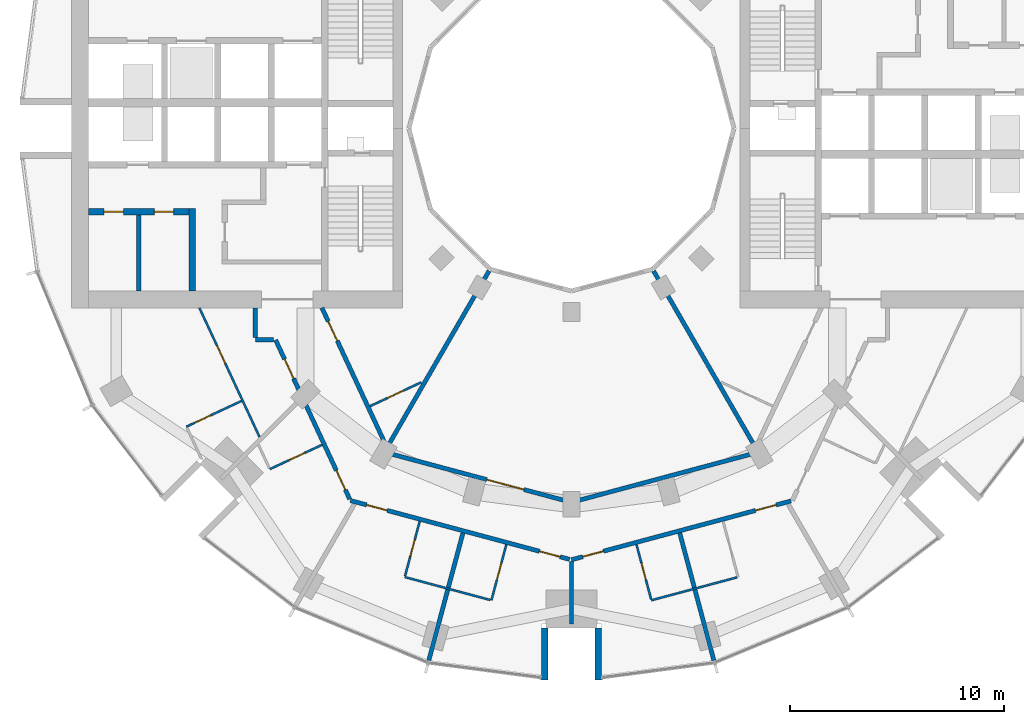
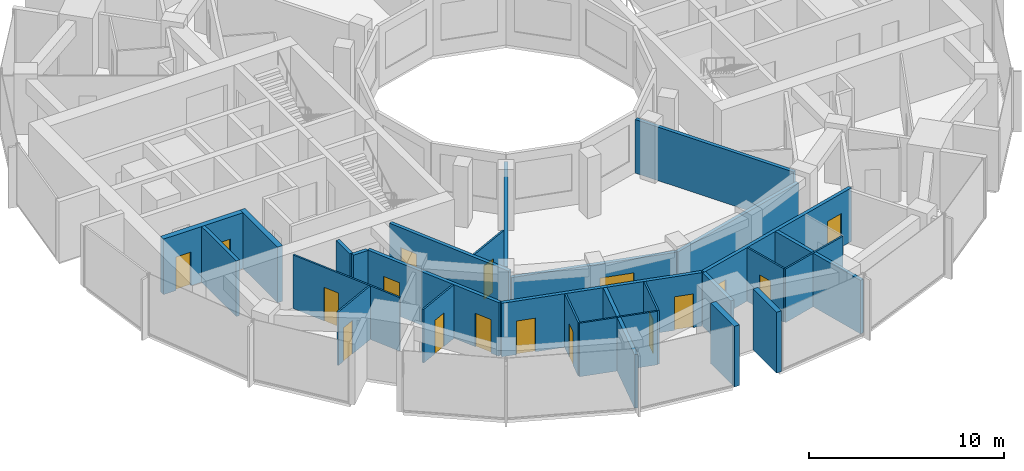
# One storey, part 8 of 15: 27 walls, 17 doors, 17 openings.
"""IFC4 building model written with IfcOpenShell, lengths in metres."""

import ifcopenshell
import ifcopenshell.guid

model = None  # the IFC model being written
_history = None  # IfcOwnerHistory: only IFC2X3 demands one
_inside = {}  # id of a spatial element -> (the spatial element, [elements in it])
_under = {}  # id of a project, library or spatial element -> (it, [spatial elements below it])
_declared = {}  # id of a project -> (the project, [libraries it declares])
_typed = {}  # id of a type object -> (the type object, [elements of that type])
_made_of = {}  # id of a material, layer set ... -> (it, [elements and type objects made of it])


def new_model(schema):
    """Start an empty IFC model of exactly this schema.

    Asked for "IFC4X3", IfcOpenShell would pick the latest addendum, in which some entities
    have other attributes; the version numbers below select the first issue.
    IFC2X3 requires an IfcOwnerHistory on every rooted entity: one is made here for all.
    """
    global model, _history
    if schema == "IFC4X3":
        model = ifcopenshell.file(schema_version=(4, 3, 0, 0))
    else:
        model = ifcopenshell.file(schema=schema)
    _inside.clear()
    _under.clear()
    _declared.clear()
    _typed.clear()
    _made_of.clear()
    _history = None
    if model.schema == "IFC2X3":
        org = make("IfcOrganization", Name="unknown")
        user = make(
            "IfcPersonAndOrganization",
            ThePerson=make("IfcPerson", FamilyName="unknown"),
            TheOrganization=org,
        )
        app = make(
            "IfcApplication",
            ApplicationDeveloper=org,
            Version="unknown",
            ApplicationFullName="unknown",
            ApplicationIdentifier="unknown",
        )
        _history = make(
            "IfcOwnerHistory",
            OwningUser=user,
            OwningApplication=app,
            ChangeAction="ADDED",
            CreationDate=0,
        )
    return model


def make(cls, **values):
    """One entity of the class cls with the attributes given. An attribute that is None is left unset."""
    return model.create_entity(
        cls, **{name: value for name, value in values.items() if value is not None}
    )


def rooted(cls, **values):
    """An entity with a GlobalId (a new one), such as an element, a storey or a relation."""
    return make(cls, GlobalId=ifcopenshell.guid.new(), OwnerHistory=_history, **values)


def si_unit(unit_type, name, prefix=None):
    """IfcSIUnit, for example si_unit("LENGTHUNIT", "METRE", prefix="MILLI")."""
    return make("IfcSIUnit", UnitType=unit_type, Prefix=prefix, Name=name)


def assignment(units):
    """IfcUnitAssignment: the units of a project."""
    return None if units is None else make("IfcUnitAssignment", Units=units)


def point(xyz):
    """IfcCartesianPoint."""
    return None if xyz is None else make("IfcCartesianPoint", Coordinates=xyz)


def direction(xyz):
    """IfcDirection."""
    return None if xyz is None else make("IfcDirection", DirectionRatios=xyz)


def frame(location, z_axis=None, x_axis=None):
    """IfcAxis2Placement3D, a coordinate frame: its origin and axes. An axis left out is left unset."""
    return make(
        "IfcAxis2Placement3D",
        Location=point(location),
        Axis=direction(z_axis),
        RefDirection=direction(x_axis),
    )


def frame_2d(location, x_axis=None):
    """IfcAxis2Placement2D, a coordinate frame in the plane: its origin and x axis."""
    return make(
        "IfcAxis2Placement2D", Location=point(location), RefDirection=direction(x_axis)
    )


def origin():
    """The frame at (0, 0, 0) with its axes left unset."""
    return frame((0.0, 0.0, 0.0))


def place(relative_to, where):
    """IfcLocalPlacement: puts the frame where relative to a parent placement (None: the world)."""
    return make(
        "IfcLocalPlacement", PlacementRelTo=relative_to, RelativePlacement=where
    )


def context(
    kind, dimensions, precision=None, world=None, true_north=None, identifier=None
):
    """IfcGeometricRepresentationContext, for example the 3D "Model" context."""
    return make(
        "IfcGeometricRepresentationContext",
        ContextIdentifier=identifier,
        ContextType=kind,
        CoordinateSpaceDimension=dimensions,
        Precision=precision,
        WorldCoordinateSystem=world,
        TrueNorth=true_north,
    )


def subcontext(parent, identifier, kind, view, scale=None):
    """IfcGeometricRepresentationSubContext, for example "Body" below "Model"."""
    return make(
        "IfcGeometricRepresentationSubContext",
        ContextIdentifier=identifier,
        ContextType=kind,
        ParentContext=parent,
        TargetScale=scale,
        TargetView=view,
    )


def project(units=None, contexts=None):
    """IfcProject with its units and contexts."""
    return rooted(
        "IfcProject",
        Name="project",
        RepresentationContexts=contexts,
        UnitsInContext=assignment(units),
    )


def spatial(cls, under=None, at=None, **own):
    """A site, building, storey or space (cls), placed at a placement, below another one or the project."""
    s = rooted(cls, ObjectPlacement=at, **own)
    if under is not None:
        _under.setdefault(under.id(), (under, []))[1].append(s)
    return s


def profile(cls, at=None, kind="AREA", **sizes):
    """A parametric profile (cls). Its sizes go by their IFC names, for example OverallWidth=200.0."""
    return make(cls, ProfileType=kind, Position=at, **sizes)


def rectangle(**sizes):
    """IfcRectangleProfileDef."""
    return profile("IfcRectangleProfileDef", **sizes)


def extrude(swept, where, along, depth):
    """IfcExtrudedAreaSolid: the profile swept, set in the frame where, extruded along a direction by depth."""
    return make(
        "IfcExtrudedAreaSolid",
        SweptArea=swept,
        Position=where,
        ExtrudedDirection=direction(along),
        Depth=depth,
    )


def shape(context_of_items, identifier, shape_type, items):
    """IfcShapeRepresentation: the items that make up one representation, for example the "Body"."""
    return make(
        "IfcShapeRepresentation",
        ContextOfItems=context_of_items,
        RepresentationIdentifier=identifier,
        RepresentationType=shape_type,
        Items=items,
    )


def material(Name=None, Category=None):
    """IfcMaterial."""
    return make("IfcMaterial", Name=Name, Category=Category)


def layer(
    of_material, thickness, ventilated=None, Name=None, Category=None, Priority=None
):
    """IfcMaterialLayer: one layer of a wall or slab, of a material (None: an air gap)."""
    return make(
        "IfcMaterialLayer",
        Material=of_material,
        LayerThickness=thickness,
        IsVentilated=ventilated,
        Name=Name,
        Category=Category,
        Priority=Priority,
    )


def layer_set(layers, Name=None):
    """IfcMaterialLayerSet."""
    return make("IfcMaterialLayerSet", MaterialLayers=layers, LayerSetName=Name)


def made_of(thing, what):
    """Note that an element or type object is made of a material, layer set ...; save() writes the relation."""
    if what is not None:
        _made_of.setdefault(what.id(), (what, []))[1].append(thing)
    return thing


def type_object(cls, material=None, **own):
    """A type object (cls), such as IfcWallType, which elements share."""
    return made_of(rooted(cls, **own), material)


def element(
    cls,
    number,
    at=None,
    inside=None,
    cuts=None,
    type_object=None,
    material=None,
    context=None,
    identifier="Body",
    shape_type=None,
    held_by="IfcProductDefinitionShape",
    body=None,
    shapes=None,
    **own,
):
    """One element of the class cls, such as IfcWall. Its Tag is "e" and its number.

    at: its placement. inside: the storey or other place that contains it. cuts: it is an
    opening in that element (IfcRelVoidsElement). A single representation is given by context,
    identifier, shape_type and body (its items); several are given by shapes. held_by: the class
    of the entity that holds the representations. save() writes the other relations.
    """
    e = rooted(cls, Tag="e%d" % number, ObjectPlacement=at, **own)
    if body is not None:
        shapes = [shape(context, identifier, shape_type, body)]
    if shapes is not None:
        e.Representation = make(held_by, Representations=shapes)
    if inside is not None:
        _inside.setdefault(inside.id(), (inside, []))[1].append(e)
    if cuts is not None:
        rooted(
            "IfcRelVoidsElement", RelatingBuildingElement=cuts, RelatedOpeningElement=e
        )
    if type_object is not None:
        _typed.setdefault(type_object.id(), (type_object, []))[1].append(e)
    return made_of(e, material)


def fill(opening, filler):
    """IfcRelFillsElement: the door or window that sits in an opening."""
    return rooted(
        "IfcRelFillsElement",
        RelatingOpeningElement=opening,
        RelatedBuildingElement=filler,
    )


def aggregate(whole, parts):
    """IfcRelAggregates: a whole, such as a stair, and the parts it consists of."""
    return rooted("IfcRelAggregates", RelatingObject=whole, RelatedObjects=parts)


def save(model, path):
    """Write the relations noted so far, then the file.

    IfcRelAggregates (storeys below a building ...), IfcRelContainedInSpatialStructure (elements
    in a storey), IfcRelDefinesByType, IfcRelAssociatesMaterial and IfcRelDeclares: one each for
    every whole, place, type object, material and project.
    """
    for whole, parts in _under.values():
        aggregate(whole, parts)
    for where, things in _inside.values():
        rooted(
            "IfcRelContainedInSpatialStructure",
            RelatedElements=things,
            RelatingStructure=where,
        )
    for kind, things in _typed.values():
        rooted("IfcRelDefinesByType", RelatedObjects=things, RelatingType=kind)
    for what, things in _made_of.values():
        rooted("IfcRelAssociatesMaterial", RelatedObjects=things, RelatingMaterial=what)
    for by, libraries in _declared.values():
        rooted("IfcRelDeclares", RelatingContext=by, RelatedDefinitions=libraries)
    model.write(path)


model = new_model("IFC4")

# Units and contexts
model_context = context("Model", 3, precision=1e-05, world=origin(), true_north=direction((0.0, 1.0)))
body_context = subcontext(model_context, "Body", "Model", "MODEL_VIEW")
ifc_project = project(units=[si_unit("LENGTHUNIT", "METRE"), si_unit("AREAUNIT", "SQUARE_METRE"), si_unit("VOLUMEUNIT", "CUBIC_METRE"), si_unit("PLANEANGLEUNIT", "RADIAN"), si_unit("MASSUNIT", "GRAM", prefix="KILO")], contexts=[model_context])

# Site, building, storey
site_placement = place(None, origin())
site = spatial("IfcSite", under=ifc_project, at=site_placement, CompositionType="ELEMENT")
building_placement = place(site_placement, origin())
building = spatial("IfcBuilding", under=site, at=building_placement, Name="Torre Brocal", CompositionType="ELEMENT")
storey_placement = place(building_placement, frame((0.0, 0.0, 90.0)))
storey = spatial("IfcBuildingStorey", under=building, at=storey_placement, Name="L20", CompositionType="ELEMENT", Elevation=90.0)

# Walls
ifc_material_1 = material(Name="Masonry block", Category="masonry")
ifc_layer_1 = layer(ifc_material_1, 0.199951171875)
ifc_layer_set_1 = layer_set([ifc_layer_1], Name="Masonry block")
wall_type_1 = type_object("IfcWallType", Name="CORE PARTITION 200", PredefinedType="PARTITIONING", material=ifc_layer_set_1)
wall_1_placement = place(storey_placement, frame((59.75, 70.949951171875, 0.0), z_axis=(0.0, 0.0, 1.0), x_axis=(0.0, -1.0, 0.0)))
element("IfcWall", 1, at=wall_1_placement, inside=storey, type_object=wall_type_1, Name="Wall CP200", PredefinedType="PARTITIONING", context=body_context, shape_type="SweptSolid", body=[
    extrude(rectangle(XDim=3.550048828125, YDim=0.199951171875, at=frame_2d((1.77490234375, 0.0))), origin(), (0.0, 0.0, 1.0), 3.47998046875),
])
ifc_material_2 = material(Name="Concrete C80", Category="concrete")
ifc_layer_2 = layer(ifc_material_2, 0.300048828125)
ifc_layer_set_2 = layer_set([ifc_layer_2], Name="Concrete C80")
wall_type_2 = type_object("IfcWallType", Name="CORE WALL 300 C80", PredefinedType="SHEAR", material=ifc_layer_set_2)
wall_2_placement = place(storey_placement, frame((62.25, 71.25, 0.0), z_axis=(0.0, 0.0, 1.0), x_axis=(0.0, -1.0, 0.0)))
element("IfcWall", 2, at=wall_2_placement, inside=storey, type_object=wall_type_2, Name="Wall CW300-80", PredefinedType="SHEAR", context=body_context, shape_type="SweptSolid", body=[
    extrude(rectangle(XDim=3.85009765625, YDim=0.300048828125, at=frame_2d((1.925048828125, 0.0))), origin(), (0.0, 0.0, 1.0), 3.47998046875),
])

# Wall, openings, doors
wall_3_placement = place(storey_placement, frame((62.10009765625, 71.10009765625, 0.0), z_axis=(0.0, 0.0, 1.0), x_axis=(-1.0, 0.0, 0.0)))
wall_3 = element("IfcWall", 3, at=wall_3_placement, inside=storey, type_object=wall_type_2, Name="Wall CW300-80", PredefinedType="SHEAR", context=body_context, shape_type="SweptSolid", body=[
    extrude(rectangle(XDim=4.7001953125, YDim=0.300048828125, at=frame_2d((2.35009765625, 0.0))), origin(), (0.0, 0.0, 1.0), 3.47998046875),
])
opening_1_placement = place(wall_3_placement, frame((0.72509765625, 0.0, 0.0)))
opening_1 = element("IfcOpeningElement", 4, at=opening_1_placement, cuts=wall_3, Name="Opening W-D05", PredefinedType="OPENING", context=body_context, shape_type="SweptSolid", body=[
    extrude(rectangle(XDim=0.89990234375, YDim=2.10009765625, at=frame_2d((0.449951171875, 1.050048828125))), frame((0.0, 0.159912109375, 0.0), z_axis=(0.0, -1.0, 0.0), x_axis=(1.0, 0.0, 0.0)), (0.0, 0.0, 1.0), 0.320068359375),
])
opening_2_placement = place(wall_3_placement, frame((3.074951171875, 0.0, 0.0)))
opening_2 = element("IfcOpeningElement", 5, at=opening_2_placement, cuts=wall_3, Name="Opening W-D06", PredefinedType="OPENING", context=body_context, shape_type="SweptSolid", body=[
    extrude(rectangle(XDim=0.89990234375, YDim=2.10009765625, at=frame_2d((0.449951171875, 1.050048828125))), frame((0.0, 0.159912109375, 0.0), z_axis=(0.0, -1.0, 0.0), x_axis=(1.0, 0.0, 0.0)), (0.0, 0.0, 1.0), 0.320068359375),
])
ifc_material_3 = material(Name="Steel A653", Category="steel")
door_type_1 = type_object("IfcDoorType", Name="ROOM DOOR FD30S 900X2100", OperationType="SINGLE_SWING_LEFT", PredefinedType="DOOR", material=ifc_material_3)
door_1_placement = place(opening_1_placement, origin())
door_1 = element("IfcDoor", 6, at=door_1_placement, inside=storey, type_object=door_type_1, Name="Door W-D05", OperationType="SINGLE_SWING_RIGHT", OverallHeight=2.10009765625, OverallWidth=0.89990234375, PredefinedType="DOOR", context=body_context, shape_type="SweptSolid", body=[
    extrude(rectangle(XDim=0.89990234375, YDim=2.10009765625, at=frame_2d((0.449951171875, 1.050048828125))), frame((0.0, 0.02490234375, 0.0), z_axis=(0.0, -1.0, 0.0), x_axis=(1.0, 0.0, 0.0)), (0.0, 0.0, 1.0), 0.050048828125),
])
fill(opening_1, door_1)
door_2_placement = place(opening_2_placement, origin())
door_2 = element("IfcDoor", 7, at=door_2_placement, inside=storey, type_object=door_type_1, Name="Door W-D06", OperationType="SINGLE_SWING_LEFT", OverallHeight=2.10009765625, OverallWidth=0.89990234375, PredefinedType="DOOR", context=body_context, shape_type="SweptSolid", body=[
    extrude(rectangle(XDim=0.89990234375, YDim=2.10009765625, at=frame_2d((0.449951171875, 1.050048828125))), frame((0.0, 0.02490234375, 0.0), z_axis=(0.0, -1.0, 0.0), x_axis=(1.0, 0.0, 0.0)), (0.0, 0.0, 1.0), 0.050048828125),
])
fill(opening_2, door_2)

# Walls
ifc_material_4 = material(Name="Concrete C80", Category="concrete")
ifc_layer_3 = layer(ifc_material_4, 0.300048828125)
ifc_layer_set_3 = layer_set([ifc_layer_3], Name="Concrete C80")
wall_type_3 = type_object("IfcWallType", Name="NOTCH RETURN WALL 300 C80", PredefinedType="NOTDEFINED", material=ifc_layer_set_3)
for number, where, z_axis, x_axis, name in (
    (8, (78.75, 51.60009765625, 0.0), (0.0, 0.0, 1.0), (0.0, -1.0, 0.0), "NOTCH RETURN WALL"),
    (9, (81.25, 51.60009765625, 0.0), (0.0, 0.0, 1.0), (0.0, -1.0, 0.0), "NOTCH RETURN WALL"),
):
    element("IfcWall", number, at=place(storey_placement, frame(where, z_axis=z_axis, x_axis=x_axis)), inside=storey, type_object=wall_type_3, Name=name, PredefinedType="NOTDEFINED", context=body_context, shape_type="SweptSolid", body=[
        extrude(rectangle(XDim=2.415771484375, YDim=0.300048828125, at=frame_2d((1.2080078125, 0.0))), origin(), (0.0, 0.0, 1.0), 3.800048828125),
    ])

# Wall, opening, door
ifc_material_5 = material(Name="Gypsum board", Category="Gypsum")
ifc_layer_4 = layer(ifc_material_5, 0.10009765625)
ifc_layer_set_4 = layer_set([ifc_layer_4], Name="Gypsum board")
wall_type_4 = type_object("IfcWallType", Name="PARTITION 100", PredefinedType="PARTITIONING", material=ifc_layer_set_4)
wall_4_placement = place(storey_placement, frame((61.97509765625, 61.037109375, 0.0), z_axis=(0.0, 0.0, 1.0), x_axis=(0.906360368959, 0.422505481125, 0.0)))
wall_4 = element("IfcWall", 10, at=wall_4_placement, inside=storey, type_object=wall_type_4, Name="BATHROOM WALL", PredefinedType="PARTITIONING", context=body_context, shape_type="SweptSolid", body=[
    extrude(rectangle(XDim=2.849365234375, YDim=0.10009765625, at=frame_2d((1.4248046875, 0.0))), origin(), (0.0, 0.0, 1.0), 3.35009765625),
])
opening_3_placement = place(wall_4_placement, frame((0.44970703125, 0.0, 0.0)))
opening_3 = element("IfcOpeningElement", 11, at=opening_3_placement, cuts=wall_4, Name="Opening H05-D40", PredefinedType="OPENING", context=body_context, shape_type="SweptSolid", body=[
    extrude(rectangle(XDim=0.800048828125, YDim=2.10009765625, at=frame_2d((0.39990234375, 1.050048828125))), frame((0.0, 0.06005859375, 0.0), z_axis=(0.0, -1.0, 0.0), x_axis=(1.0, 0.0, 0.0)), (0.0, 0.0, 1.0), 0.1201171875),
])
ifc_material_6 = material(Name="Timber", Category="wood")
door_type_2 = type_object("IfcDoorType", Name="BATHROOM DOOR 800X2100", OperationType="SINGLE_SWING_LEFT", PredefinedType="DOOR", material=ifc_material_6)
door_3_placement = place(opening_3_placement, frame((0.800048828125, 0.0, 0.0), z_axis=(0.0, 0.0, 1.0), x_axis=(-1.0, 0.0, 0.0)))
door_3 = element("IfcDoor", 12, at=door_3_placement, inside=storey, type_object=door_type_2, Name="H05-D40", OperationType="SINGLE_SWING_RIGHT", OverallHeight=2.10009765625, OverallWidth=0.800048828125, PredefinedType="DOOR", context=body_context, shape_type="SweptSolid", body=[
    extrude(rectangle(XDim=0.800048828125, YDim=2.10009765625, at=frame_2d((0.39990234375, 1.050048828125))), frame((0.0, 0.02490234375, 0.0), z_axis=(0.0, -1.0, 0.0), x_axis=(1.0, 0.0, 0.0)), (0.0, 0.0, 1.0), 0.050048828125),
])
fill(opening_3, door_3)

wall_5_placement = place(storey_placement, frame((62.58203125, 66.60009765625, 0.0), z_axis=(0.0, 0.0, 1.0), x_axis=(0.422283870085, -0.906463641337, 0.0)))
wall_5 = element("IfcWall", 13, at=wall_5_placement, inside=storey, type_object=wall_type_4, Name="BATHROOM WALL", PredefinedType="PARTITIONING", context=body_context, shape_type="SweptSolid", body=[
    extrude(rectangle(XDim=6.666015625, YDim=0.10009765625, at=frame_2d((3.3330078125, 0.0))), origin(), (0.0, 0.0, 1.0), 3.35009765625),
])
opening_4_placement = place(wall_5_placement, frame((1.95263671875, 0.0, 0.0)))
opening_4 = element("IfcOpeningElement", 14, at=opening_4_placement, cuts=wall_5, Name="Opening H05-D39", PredefinedType="OPENING", context=body_context, shape_type="SweptSolid", body=[
    extrude(rectangle(XDim=0.89990234375, YDim=2.10009765625, at=frame_2d((0.449951171875, 1.050048828125))), frame((0.0, 0.06005859375, 0.0), z_axis=(0.0, -1.0, 0.0), x_axis=(1.0, 0.0, 0.0)), (0.0, 0.0, 1.0), 0.1201171875),
])
ifc_material_7 = material(Name="Timber", Category="wood")
door_type_3 = type_object("IfcDoorType", Name="ROOM DOOR 900X2100", OperationType="SINGLE_SWING_LEFT", PredefinedType="DOOR", material=ifc_material_7)
door_4_placement = place(opening_4_placement, origin())
door_4 = element("IfcDoor", 15, at=door_4_placement, inside=storey, type_object=door_type_3, Name="H05-D39", OperationType="SINGLE_SWING_LEFT", OverallHeight=2.10009765625, OverallWidth=0.89990234375, PredefinedType="DOOR", context=body_context, shape_type="SweptSolid", body=[
    extrude(rectangle(XDim=0.89990234375, YDim=2.10009765625, at=frame_2d((0.449951171875, 1.050048828125))), frame((0.0, 0.02490234375, 0.0), z_axis=(0.0, -1.0, 0.0), x_axis=(1.0, 0.0, 0.0)), (0.0, 0.0, 1.0), 0.050048828125),
])
fill(opening_4, door_4)

wall_6_placement = place(storey_placement, frame((65.87890625, 59.048095703125, 0.0), z_axis=(0.0, 0.0, 1.0), x_axis=(0.906746039995, 0.421677150144, 0.0)))
wall_6 = element("IfcWall", 16, at=wall_6_placement, inside=storey, type_object=wall_type_4, Name="BATHROOM WALL", PredefinedType="PARTITIONING", context=body_context, shape_type="SweptSolid", body=[
    extrude(rectangle(XDim=2.69970703125, YDim=0.10009765625, at=frame_2d((1.349853515625, 0.0))), origin(), (0.0, 0.0, 1.0), 3.35009765625),
])
opening_5_placement = place(wall_6_placement, frame((1.0, 0.0, 0.0)))
opening_5 = element("IfcOpeningElement", 17, at=opening_5_placement, cuts=wall_6, Name="Opening H05-D37", PredefinedType="OPENING", context=body_context, shape_type="SweptSolid", body=[
    extrude(rectangle(XDim=0.800048828125, YDim=2.10009765625, at=frame_2d((0.39990234375, 1.050048828125))), frame((0.0, 0.06005859375, 0.0), z_axis=(0.0, -1.0, 0.0), x_axis=(1.0, 0.0, 0.0)), (0.0, 0.0, 1.0), 0.1201171875),
])
door_5_placement = place(opening_5_placement, origin())
door_5 = element("IfcDoor", 18, at=door_5_placement, inside=storey, type_object=door_type_2, Name="H05-D37", OperationType="SINGLE_SWING_RIGHT", OverallHeight=2.10009765625, OverallWidth=0.800048828125, PredefinedType="DOOR", context=body_context, shape_type="SweptSolid", body=[
    extrude(rectangle(XDim=0.800048828125, YDim=2.10009765625, at=frame_2d((0.39990234375, 1.050048828125))), frame((0.0, 0.02490234375, 0.0), z_axis=(0.0, -1.0, 0.0), x_axis=(1.0, 0.0, 0.0)), (0.0, 0.0, 1.0), 0.050048828125),
])
fill(opening_5, door_5)

wall_7_placement = place(storey_placement, frame((70.57373046875, 61.997314453125, 0.0), z_axis=(0.0, 0.0, 1.0), x_axis=(0.906503026865, 0.422199315826, 0.0)))
wall_7 = element("IfcWall", 19, at=wall_7_placement, inside=storey, type_object=wall_type_4, Name="BATHROOM WALL", PredefinedType="PARTITIONING", context=body_context, shape_type="SweptSolid", body=[
    extrude(rectangle(XDim=2.649658203125, YDim=0.10009765625, at=frame_2d((1.32470703125, 0.0))), origin(), (0.0, 0.0, 1.0), 3.35009765625),
])
opening_6_placement = place(wall_7_placement, frame((0.89990234375, 0.0, 0.0)))
opening_6 = element("IfcOpeningElement", 20, at=opening_6_placement, cuts=wall_7, Name="Opening H05-D45", PredefinedType="OPENING", context=body_context, shape_type="SweptSolid", body=[
    extrude(rectangle(XDim=0.800048828125, YDim=2.10009765625, at=frame_2d((0.39990234375, 1.050048828125))), frame((0.0, 0.06005859375, 0.0), z_axis=(0.0, -1.0, 0.0), x_axis=(1.0, 0.0, 0.0)), (0.0, 0.0, 1.0), 0.1201171875),
])
door_6_placement = place(opening_6_placement, frame((0.800048828125, 0.0, 0.0), z_axis=(0.0, 0.0, 1.0), x_axis=(-1.0, 0.0, 0.0)))
door_6 = element("IfcDoor", 21, at=door_6_placement, inside=storey, type_object=door_type_2, Name="H05-D45", OperationType="SINGLE_SWING_RIGHT", OverallHeight=2.10009765625, OverallWidth=0.800048828125, PredefinedType="DOOR", context=body_context, shape_type="SweptSolid", body=[
    extrude(rectangle(XDim=0.800048828125, YDim=2.10009765625, at=frame_2d((0.39990234375, 1.050048828125))), frame((0.0, 0.02490234375, 0.0), z_axis=(0.0, -1.0, 0.0), x_axis=(1.0, 0.0, 0.0)), (0.0, 0.0, 1.0), 0.050048828125),
])
fill(opening_6, door_6)

wall_8_placement = place(storey_placement, frame((72.2109375, 54.044189453125, 0.0), z_axis=(0.0, 0.0, 1.0), x_axis=(0.258866552082, 0.96591309558, 0.0)))
wall_8 = element("IfcWall", 22, at=wall_8_placement, inside=storey, type_object=wall_type_4, Name="BATHROOM WALL", PredefinedType="PARTITIONING", context=body_context, shape_type="SweptSolid", body=[
    extrude(rectangle(XDim=2.650146484375, YDim=0.10009765625, at=frame_2d((1.3251953125, 0.0))), origin(), (0.0, 0.0, 1.0), 3.35009765625),
])
opening_7_placement = place(wall_8_placement, frame((0.9501953125, 0.0, 0.0)))
opening_7 = element("IfcOpeningElement", 23, at=opening_7_placement, cuts=wall_8, Name="Opening H05-D35", PredefinedType="OPENING", context=body_context, shape_type="SweptSolid", body=[
    extrude(rectangle(XDim=0.800048828125, YDim=2.10009765625, at=frame_2d((0.39990234375, 1.050048828125))), frame((0.0, 0.06005859375, 0.0), z_axis=(0.0, -1.0, 0.0), x_axis=(1.0, 0.0, 0.0)), (0.0, 0.0, 1.0), 0.1201171875),
])
door_7_placement = place(opening_7_placement, frame((0.800048828125, 0.0, 0.0), z_axis=(0.0, 0.0, 1.0), x_axis=(-1.0, 0.0, 0.0)))
door_7 = element("IfcDoor", 24, at=door_7_placement, inside=storey, type_object=door_type_2, Name="H05-D35", OperationType="SINGLE_SWING_LEFT", OverallHeight=2.10009765625, OverallWidth=0.800048828125, PredefinedType="DOOR", context=body_context, shape_type="SweptSolid", body=[
    extrude(rectangle(XDim=0.800048828125, YDim=2.10009765625, at=frame_2d((0.39990234375, 1.050048828125))), frame((0.0, 0.02490234375, 0.0), z_axis=(0.0, -1.0, 0.0), x_axis=(1.0, 0.0, 0.0)), (0.0, 0.0, 1.0), 0.050048828125),
])
fill(opening_7, door_7)

# Wall
wall_9_placement = place(storey_placement, frame((72.197998046875, 53.99609375, 0.0), z_axis=(0.0, 0.0, 1.0), x_axis=(0.965855045962, -0.259083056549, 0.0)))
element("IfcWall", 25, at=wall_9_placement, inside=storey, type_object=wall_type_4, Name="BATHROOM WALL", PredefinedType="PARTITIONING", context=body_context, shape_type="SweptSolid", body=[
    extrude(rectangle(XDim=4.14990234375, YDim=0.10009765625, at=frame_2d((2.074951171875, 0.0))), origin(), (0.0, 0.0, 1.0), 3.35009765625),
])

# Wall, opening, door
wall_10_placement = place(storey_placement, frame((76.2548828125, 52.908935546875, 0.0), z_axis=(0.0, 0.0, 1.0), x_axis=(0.25867580527, 0.965964195904, 0.0)))
wall_10 = element("IfcWall", 26, at=wall_10_placement, inside=storey, type_object=wall_type_4, Name="BATHROOM WALL", PredefinedType="PARTITIONING", context=body_context, shape_type="SweptSolid", body=[
    extrude(rectangle(XDim=2.69921875, YDim=0.10009765625, at=frame_2d((1.349609375, 0.0))), origin(), (0.0, 0.0, 1.0), 3.35009765625),
])
opening_8_placement = place(wall_10_placement, frame((0.99951171875, 0.0, 0.0)))
opening_8 = element("IfcOpeningElement", 27, at=opening_8_placement, cuts=wall_10, Name="Opening H05-D33", PredefinedType="OPENING", context=body_context, shape_type="SweptSolid", body=[
    extrude(rectangle(XDim=0.800048828125, YDim=2.10009765625, at=frame_2d((0.39990234375, 1.050048828125))), frame((0.0, 0.06005859375, 0.0), z_axis=(0.0, -1.0, 0.0), x_axis=(1.0, 0.0, 0.0)), (0.0, 0.0, 1.0), 0.1201171875),
])
door_8_placement = place(opening_8_placement, origin())
door_8 = element("IfcDoor", 28, at=door_8_placement, inside=storey, type_object=door_type_2, Name="H05-D33", OperationType="SINGLE_SWING_RIGHT", OverallHeight=2.10009765625, OverallWidth=0.800048828125, PredefinedType="DOOR", context=body_context, shape_type="SweptSolid", body=[
    extrude(rectangle(XDim=0.800048828125, YDim=2.10009765625, at=frame_2d((0.39990234375, 1.050048828125))), frame((0.0, 0.02490234375, 0.0), z_axis=(0.0, -1.0, 0.0), x_axis=(1.0, 0.0, 0.0)), (0.0, 0.0, 1.0), 0.050048828125),
])
fill(opening_8, door_8)

wall_11_placement = place(storey_placement, frame((83.046875, 55.516357421875, 0.0), z_axis=(0.0, 0.0, 1.0), x_axis=(0.258677737588, -0.965963678446, 0.0)))
wall_11 = element("IfcWall", 29, at=wall_11_placement, inside=storey, type_object=wall_type_4, Name="BATHROOM WALL", PredefinedType="PARTITIONING", context=body_context, shape_type="SweptSolid", body=[
    extrude(rectangle(XDim=2.649169921875, YDim=0.10009765625, at=frame_2d((1.32470703125, 0.0))), origin(), (0.0, 0.0, 1.0), 3.35009765625),
])
opening_9_placement = place(wall_11_placement, frame((0.899658203125, 0.0, 0.0)))
opening_9 = element("IfcOpeningElement", 30, at=opening_9_placement, cuts=wall_11, Name="Opening H05-D31", PredefinedType="OPENING", context=body_context, shape_type="SweptSolid", body=[
    extrude(rectangle(XDim=0.800048828125, YDim=2.10009765625, at=frame_2d((0.39990234375, 1.050048828125))), frame((0.0, 0.06005859375, 0.0), z_axis=(0.0, -1.0, 0.0), x_axis=(1.0, 0.0, 0.0)), (0.0, 0.0, 1.0), 0.1201171875),
])
door_9_placement = place(opening_9_placement, origin())
door_9 = element("IfcDoor", 31, at=door_9_placement, inside=storey, type_object=door_type_2, Name="H05-D31", OperationType="SINGLE_SWING_LEFT", OverallHeight=2.10009765625, OverallWidth=0.800048828125, PredefinedType="DOOR", context=body_context, shape_type="SweptSolid", body=[
    extrude(rectangle(XDim=0.800048828125, YDim=2.10009765625, at=frame_2d((0.39990234375, 1.050048828125))), frame((0.0, 0.02490234375, 0.0), z_axis=(0.0, -1.0, 0.0), x_axis=(1.0, 0.0, 0.0)), (0.0, 0.0, 1.0), 0.050048828125),
])
fill(opening_9, door_9)

# Walls
wall_12_placement = place(storey_placement, frame((83.7451171875, 52.908935546875, 0.0), z_axis=(0.0, 0.0, 1.0), x_axis=(0.965995295758, 0.258559642196, 0.0)))
element("IfcWall", 32, at=wall_12_placement, inside=storey, type_object=wall_type_4, Name="BATHROOM WALL", PredefinedType="PARTITIONING", context=body_context, shape_type="SweptSolid", body=[
    extrude(rectangle(XDim=4.14990234375, YDim=0.10009765625, at=frame_2d((2.074951171875, 0.0))), origin(), (0.0, 0.0, 1.0), 3.35009765625),
])
ifc_material_8 = material(Name="Gypsum board", Category="Gypsum")
ifc_layer_5 = layer(ifc_material_8, 0.199951171875)
ifc_layer_set_5 = layer_set([ifc_layer_5], Name="Gypsum board")
wall_type_5 = type_object("IfcWallType", Name="PARTITION 200 EI60", PredefinedType="PARTITIONING", material=ifc_layer_set_5)
wall_13_placement = place(storey_placement, frame((65.199951171875, 65.199951171875, 0.0), z_axis=(0.0, 0.0, 1.0), x_axis=(0.0, 1.0, 0.0)))
element("IfcWall", 33, at=wall_13_placement, inside=storey, type_object=wall_type_5, Name="FLAT ENTRANCE WALL", PredefinedType="PARTITIONING", context=body_context, shape_type="SweptSolid", body=[
    extrude(rectangle(XDim=1.399169921875, YDim=0.199951171875, at=frame_2d((0.69970703125, 0.0))), origin(), (0.0, 0.0, 1.0), 3.35009765625),
])
wall_14_placement = place(storey_placement, frame((65.199951171875, 65.10009765625, 0.0), z_axis=(0.0, 0.0, 1.0), x_axis=(1.0, 0.0, 0.0)))
element("IfcWall", 34, at=wall_14_placement, inside=storey, type_object=wall_type_5, Name="FLAT ENTRANCE WALL", PredefinedType="PARTITIONING", context=body_context, shape_type="SweptSolid", body=[
    extrude(rectangle(XDim=0.859130859375, YDim=0.199951171875, at=frame_2d((0.4296875, 0.0))), origin(), (0.0, 0.0, 1.0), 3.35009765625),
])

# Wall, openings, doors
wall_15_placement = place(storey_placement, frame((66.150390625, 65.10009765625, 0.0), z_axis=(0.0, 0.0, 1.0), x_axis=(0.421874842351, -0.906654078131, 0.0)))
wall_15 = element("IfcWall", 35, at=wall_15_placement, inside=storey, type_object=wall_type_5, Name="FLAT ENTRANCE WALL", PredefinedType="PARTITIONING", context=body_context, shape_type="SweptSolid", body=[
    extrude(rectangle(XDim=8.22802734375, YDim=0.199951171875, at=frame_2d((4.114013671875, 0.0))), origin(), (0.0, 0.0, 1.0), 3.35009765625),
])
opening_10_placement = place(wall_15_placement, frame((6.748291015625, 0.0, 0.0)))
opening_10 = element("IfcOpeningElement", 36, at=opening_10_placement, cuts=wall_15, Name="Opening H05-D36", PredefinedType="OPENING", context=body_context, shape_type="SweptSolid", body=[
    extrude(rectangle(XDim=1.0, YDim=2.10009765625, at=frame_2d((0.5, 1.050048828125))), frame((0.0, 0.10986328125, 0.0), z_axis=(0.0, -1.0, 0.0), x_axis=(1.0, 0.0, 0.0)), (0.0, 0.0, 1.0), 0.219970703125),
])
opening_11_placement = place(wall_15_placement, frame((0.99658203125, 0.0, 0.0)))
opening_11 = element("IfcOpeningElement", 37, at=opening_11_placement, cuts=wall_15, Name="Opening H05-D38", PredefinedType="OPENING", context=body_context, shape_type="SweptSolid", body=[
    extrude(rectangle(XDim=1.0, YDim=2.10009765625, at=frame_2d((0.5, 1.050048828125))), frame((0.0, 0.10986328125, 0.0), z_axis=(0.0, -1.0, 0.0), x_axis=(1.0, 0.0, 0.0)), (0.0, 0.0, 1.0), 0.219970703125),
])
ifc_material_9 = material(Name="Timber", Category="wood")
door_type_4 = type_object("IfcDoorType", Name="FLAT ENTRY DOOR FD30S 1000X2100", OperationType="SINGLE_SWING_RIGHT", PredefinedType="DOOR", material=ifc_material_9)
door_10_placement = place(opening_10_placement, frame((1.0, 0.0, 0.0), z_axis=(0.0, 0.0, 1.0), x_axis=(-1.0, 0.0, 0.0)))
door_10 = element("IfcDoor", 38, at=door_10_placement, inside=storey, type_object=door_type_4, Name="H05-D36", OperationType="SINGLE_SWING_LEFT", OverallHeight=2.10009765625, OverallWidth=1.0, PredefinedType="DOOR", context=body_context, shape_type="SweptSolid", body=[
    extrude(rectangle(XDim=1.0, YDim=2.10009765625, at=frame_2d((0.5, 1.050048828125))), frame((0.0, 0.02490234375, 0.0), z_axis=(0.0, -1.0, 0.0), x_axis=(1.0, 0.0, 0.0)), (0.0, 0.0, 1.0), 0.050048828125),
])
fill(opening_10, door_10)
door_11_placement = place(opening_11_placement, frame((1.0, 0.0, 0.0), z_axis=(0.0, 0.0, 1.0), x_axis=(-1.0, 0.0, 0.0)))
door_11 = element("IfcDoor", 39, at=door_11_placement, inside=storey, type_object=door_type_4, Name="H05-D38", OperationType="SINGLE_SWING_LEFT", OverallHeight=2.10009765625, OverallWidth=1.0, PredefinedType="DOOR", context=body_context, shape_type="SweptSolid", body=[
    extrude(rectangle(XDim=1.0, YDim=2.10009765625, at=frame_2d((0.5, 1.050048828125))), frame((0.0, 0.02490234375, 0.0), z_axis=(0.0, -1.0, 0.0), x_axis=(1.0, 0.0, 0.0)), (0.0, 0.0, 1.0), 0.050048828125),
])
fill(opening_11, door_11)

# Wall, opening, door
wall_16_placement = place(storey_placement, frame((68.32080078125, 66.600341796875, 0.0), z_axis=(0.0, 0.0, 1.0), x_axis=(0.421914092414, -0.906635813666, 0.0)))
wall_16 = element("IfcWall", 40, at=wall_16_placement, inside=storey, type_object=wall_type_5, Name="GUESTROOM CORRIDOR WALL", PredefinedType="PARTITIONING", context=body_context, shape_type="SweptSolid", body=[
    extrude(rectangle(XDim=7.45947265625, YDim=0.199951171875, at=frame_2d((3.729736328125, 0.0))), origin(), (0.0, 0.0, 1.0), 3.35009765625),
])
opening_12_placement = place(wall_16_placement, frame((0.699951171875, 0.0, 0.0)))
opening_12 = element("IfcOpeningElement", 41, at=opening_12_placement, cuts=wall_16, Name="Opening H05-D44", PredefinedType="OPENING", context=body_context, shape_type="SweptSolid", body=[
    extrude(rectangle(XDim=1.0, YDim=2.10009765625, at=frame_2d((0.5, 1.050048828125))), frame((0.0, 0.10986328125, 0.0), z_axis=(0.0, -1.0, 0.0), x_axis=(1.0, 0.0, 0.0)), (0.0, 0.0, 1.0), 0.219970703125),
])
door_12_placement = place(opening_12_placement, origin())
door_12 = element("IfcDoor", 42, at=door_12_placement, inside=storey, type_object=door_type_4, Name="H05-D44", OperationType="SINGLE_SWING_LEFT", OverallHeight=2.10009765625, OverallWidth=1.0, PredefinedType="DOOR", context=body_context, shape_type="SweptSolid", body=[
    extrude(rectangle(XDim=1.0, YDim=2.10009765625, at=frame_2d((0.5, 1.050048828125))), frame((0.0, 0.02490234375, 0.0), z_axis=(0.0, -1.0, 0.0), x_axis=(1.0, 0.0, 0.0)), (0.0, 0.0, 1.0), 0.050048828125),
])
fill(opening_12, door_12)

# Wall, openings, doors
wall_17_placement = place(storey_placement, frame((69.652099609375, 57.57763671875, 0.0), z_axis=(0.0, 0.0, 1.0), x_axis=(0.965857425723, -0.259074184695, 0.0)))
wall_17 = element("IfcWall", 43, at=wall_17_placement, inside=storey, type_object=wall_type_5, Name="GUESTROOM CORRIDOR WALL", PredefinedType="PARTITIONING", context=body_context, shape_type="SweptSolid", body=[
    extrude(rectangle(XDim=10.623291015625, YDim=0.199951171875, at=frame_2d((5.3115234375, 0.0))), origin(), (0.0, 0.0, 1.0), 3.35009765625),
])
opening_13_placement = place(wall_17_placement, frame((9.1630859375, 0.0, 0.0)))
opening_13 = element("IfcOpeningElement", 44, at=opening_13_placement, cuts=wall_17, Name="Opening H05-D32", PredefinedType="OPENING", context=body_context, shape_type="SweptSolid", body=[
    extrude(rectangle(XDim=1.0, YDim=2.10009765625, at=frame_2d((0.5, 1.050048828125))), frame((0.0, 0.10986328125, 0.0), z_axis=(0.0, -1.0, 0.0), x_axis=(1.0, 0.0, 0.0)), (0.0, 0.0, 1.0), 0.219970703125),
])
opening_14_placement = place(wall_17_placement, frame((0.7880859375, 0.0, 0.0)))
opening_14 = element("IfcOpeningElement", 45, at=opening_14_placement, cuts=wall_17, Name="Opening H05-D34", PredefinedType="OPENING", context=body_context, shape_type="SweptSolid", body=[
    extrude(rectangle(XDim=1.0, YDim=2.10009765625, at=frame_2d((0.5, 1.050048828125))), frame((0.0, 0.10986328125, 0.0), z_axis=(0.0, -1.0, 0.0), x_axis=(1.0, 0.0, 0.0)), (0.0, 0.0, 1.0), 0.219970703125),
])
door_13_placement = place(opening_13_placement, frame((1.0, 0.0, 0.0), z_axis=(0.0, 0.0, 1.0), x_axis=(-1.0, 0.0, 0.0)))
door_13 = element("IfcDoor", 46, at=door_13_placement, inside=storey, type_object=door_type_4, Name="H05-D32", OperationType="SINGLE_SWING_LEFT", OverallHeight=2.10009765625, OverallWidth=1.0, PredefinedType="DOOR", context=body_context, shape_type="SweptSolid", body=[
    extrude(rectangle(XDim=1.0, YDim=2.10009765625, at=frame_2d((0.5, 1.050048828125))), frame((0.0, 0.02490234375, 0.0), z_axis=(0.0, -1.0, 0.0), x_axis=(1.0, 0.0, 0.0)), (0.0, 0.0, 1.0), 0.050048828125),
])
fill(opening_13, door_13)
door_14_placement = place(opening_14_placement, frame((1.0, 0.0, 0.0), z_axis=(0.0, 0.0, 1.0), x_axis=(-1.0, 0.0, 0.0)))
door_14 = element("IfcDoor", 47, at=door_14_placement, inside=storey, type_object=door_type_4, Name="H05-D34", OperationType="SINGLE_SWING_RIGHT", OverallHeight=2.10009765625, OverallWidth=1.0, PredefinedType="DOOR", context=body_context, shape_type="SweptSolid", body=[
    extrude(rectangle(XDim=1.0, YDim=2.10009765625, at=frame_2d((0.5, 1.050048828125))), frame((0.0, 0.02490234375, 0.0), z_axis=(0.0, -1.0, 0.0), x_axis=(1.0, 0.0, 0.0)), (0.0, 0.0, 1.0), 0.050048828125),
])
fill(opening_14, door_14)

# Walls
wall_18_placement = place(storey_placement, frame((71.45947265625, 60.21826171875, 0.0), z_axis=(0.0, 0.0, 1.0), x_axis=(0.500232027118, 0.865891401416, 0.0)))
element("IfcWall", 48, at=wall_18_placement, inside=storey, type_object=wall_type_5, Name="BATHROOM WALL", PredefinedType="PARTITIONING", context=body_context, shape_type="SweptSolid", body=[
    extrude(rectangle(XDim=9.3720703125, YDim=0.199951171875, at=frame_2d((4.68603515625, 0.0))), origin(), (0.0, 0.0, 1.0), 3.35009765625),
])
wall_19_placement = place(storey_placement, frame((73.32080078125, 50.081298828125, 0.0), z_axis=(0.0, 0.0, 1.0), x_axis=(0.258886797764, 0.965907669471, 0.0)))
element("IfcWall", 49, at=wall_19_placement, inside=storey, type_object=wall_type_5, Name="BATHROOM WALL", PredefinedType="PARTITIONING", context=body_context, shape_type="SweptSolid", body=[
    extrude(rectangle(XDim=6.1806640625, YDim=0.199951171875, at=frame_2d((3.09033203125, 0.0))), origin(), (0.0, 0.0, 1.0), 3.35009765625),
])
wall_20_placement = place(storey_placement, frame((80.0, 51.800048828125, 0.0), z_axis=(0.0, 0.0, 1.0), x_axis=(0.0, 1.0, 0.0)))
element("IfcWall", 50, at=wall_20_placement, inside=storey, type_object=wall_type_5, Name="PARTY PARTITION", PredefinedType="PARTITIONING", context=body_context, shape_type="SweptSolid", body=[
    extrude(rectangle(XDim=2.9140625, YDim=0.199951171875, at=frame_2d((1.45703125, 0.0))), origin(), (0.0, 0.0, 1.0), 3.35009765625),
])

# Wall, openings, doors
wall_21_placement = place(storey_placement, frame((79.999755859375, 54.804931640625, 0.0), z_axis=(0.0, 0.0, 1.0), x_axis=(0.965962177934, 0.258683340788, 0.0)))
wall_21 = element("IfcWall", 51, at=wall_21_placement, inside=storey, type_object=wall_type_5, Name="GUESTROOM CORRIDOR WALL", PredefinedType="PARTITIONING", context=body_context, shape_type="SweptSolid", body=[
    extrude(rectangle(XDim=10.64306640625, YDim=0.199951171875, at=frame_2d((5.321533203125, 0.0))), origin(), (0.0, 0.0, 1.0), 3.35009765625),
])
opening_15_placement = place(wall_21_placement, frame((8.9248046875, 0.0, 0.0)))
opening_15 = element("IfcOpeningElement", 52, at=opening_15_placement, cuts=wall_21, Name="Opening H05-D28", PredefinedType="OPENING", context=body_context, shape_type="SweptSolid", body=[
    extrude(rectangle(XDim=1.0, YDim=2.10009765625, at=frame_2d((0.5, 1.050048828125))), frame((0.0, 0.10986328125, 0.0), z_axis=(0.0, -1.0, 0.0), x_axis=(1.0, 0.0, 0.0)), (0.0, 0.0, 1.0), 0.219970703125),
])
opening_16_placement = place(wall_21_placement, frame((0.550048828125, 0.0, 0.0)))
opening_16 = element("IfcOpeningElement", 53, at=opening_16_placement, cuts=wall_21, Name="Opening H05-D30", PredefinedType="OPENING", context=body_context, shape_type="SweptSolid", body=[
    extrude(rectangle(XDim=1.0, YDim=2.10009765625, at=frame_2d((0.5, 1.050048828125))), frame((0.0, 0.10986328125, 0.0), z_axis=(0.0, -1.0, 0.0), x_axis=(1.0, 0.0, 0.0)), (0.0, 0.0, 1.0), 0.219970703125),
])
door_15_placement = place(opening_15_placement, frame((1.0, 0.0, 0.0), z_axis=(0.0, 0.0, 1.0), x_axis=(-1.0, 0.0, 0.0)))
door_15 = element("IfcDoor", 54, at=door_15_placement, inside=storey, type_object=door_type_4, Name="H05-D28", OperationType="SINGLE_SWING_LEFT", OverallHeight=2.10009765625, OverallWidth=1.0, PredefinedType="DOOR", context=body_context, shape_type="SweptSolid", body=[
    extrude(rectangle(XDim=1.0, YDim=2.10009765625, at=frame_2d((0.5, 1.050048828125))), frame((0.0, 0.02490234375, 0.0), z_axis=(0.0, -1.0, 0.0), x_axis=(1.0, 0.0, 0.0)), (0.0, 0.0, 1.0), 0.050048828125),
])
fill(opening_15, door_15)
door_16_placement = place(opening_16_placement, frame((1.0, 0.0, 0.0), z_axis=(0.0, 0.0, 1.0), x_axis=(-1.0, 0.0, 0.0)))
door_16 = element("IfcDoor", 55, at=door_16_placement, inside=storey, type_object=door_type_4, Name="H05-D30", OperationType="SINGLE_SWING_RIGHT", OverallHeight=2.10009765625, OverallWidth=1.0, PredefinedType="DOOR", context=body_context, shape_type="SweptSolid", body=[
    extrude(rectangle(XDim=1.0, YDim=2.10009765625, at=frame_2d((0.5, 1.050048828125))), frame((0.0, 0.02490234375, 0.0), z_axis=(0.0, -1.0, 0.0), x_axis=(1.0, 0.0, 0.0)), (0.0, 0.0, 1.0), 0.050048828125),
])
fill(opening_16, door_16)

# Walls
wall_22_placement = place(storey_placement, frame((83.84619140625, 68.330078125, 0.0), z_axis=(0.0, 0.0, 1.0), x_axis=(0.499822319857, -0.866127963163, 0.0)))
element("IfcWall", 56, at=wall_22_placement, inside=storey, type_object=wall_type_5, Name="BATHROOM WALL", PredefinedType="PARTITIONING", context=body_context, shape_type="SweptSolid", body=[
    extrude(rectangle(XDim=9.38232421875, YDim=0.199951171875, at=frame_2d((4.691162109375, 0.0))), origin(), (0.0, 0.0, 1.0), 3.35009765625),
])
wall_23_placement = place(storey_placement, frame((85.07177734375, 56.0595703125, 0.0), z_axis=(0.0, 0.0, 1.0), x_axis=(0.258703231129, -0.965956851109, 0.0)))
element("IfcWall", 57, at=wall_23_placement, inside=storey, type_object=wall_type_5, Name="BATHROOM WALL", PredefinedType="PARTITIONING", context=body_context, shape_type="SweptSolid", body=[
    extrude(rectangle(XDim=6.190673828125, YDim=0.199951171875, at=frame_2d((3.09521484375, 0.0))), origin(), (0.0, 0.0, 1.0), 3.35009765625),
])

# Wall, opening, door
ifc_material_10 = material(Name="Gypsum board", Category="Gypsum")
ifc_layer_6 = layer(ifc_material_10, 0.199951171875)
ifc_layer_set_6 = layer_set([ifc_layer_6], Name="Gypsum board")
wall_type_6 = type_object("IfcWallType", Name="PARTITION 200 EI60 UNDER BEAM 820", PredefinedType="PARTITIONING", material=ifc_layer_set_6)
wall_24_placement = place(storey_placement, frame((71.498046875, 59.774169921875, 0.0), z_axis=(0.0, 0.0, 1.0), x_axis=(0.965911938046, -0.258870871168, 0.0)))
wall_24 = element("IfcWall", 58, at=wall_24_placement, inside=storey, type_object=wall_type_6, Name="GUESTROOM CORRIDOR WALL", PredefinedType="PARTITIONING", context=body_context, shape_type="SweptSolid", body=[
    extrude(rectangle(XDim=8.751953125, YDim=0.199951171875, at=frame_2d((4.3759765625, 0.0))), origin(), (0.0, 0.0, 1.0), 2.97998046875),
])
opening_17_placement = place(wall_24_placement, frame((4.700927734375, 0.0, 0.0)))
opening_17 = element("IfcOpeningElement", 59, at=opening_17_placement, cuts=wall_24, Name="Opening H05-D43", PredefinedType="OPENING", context=body_context, shape_type="SweptSolid", body=[
    extrude(rectangle(XDim=1.800048828125, YDim=2.10009765625, at=frame_2d((0.89990234375, 1.050048828125))), frame((0.0, 0.10986328125, 0.0), z_axis=(0.0, -1.0, 0.0), x_axis=(1.0, 0.0, 0.0)), (0.0, 0.0, 1.0), 0.219970703125),
])
ifc_material_11 = material(Name="Timber", Category="wood")
door_type_5 = type_object("IfcDoorType", Name="DOUBLE DOOR 1800X2100", OperationType="DOUBLE_DOOR_SINGLE_SWING", PredefinedType="DOOR", material=ifc_material_11)
door_17_placement = place(opening_17_placement, origin())
door_17 = element("IfcDoor", 60, at=door_17_placement, inside=storey, type_object=door_type_5, Name="H05-D43", OperationType="DOUBLE_DOOR_SINGLE_SWING", OverallHeight=2.10009765625, OverallWidth=1.800048828125, PredefinedType="DOOR", context=body_context, shape_type="SweptSolid", body=[
    extrude(rectangle(XDim=1.800048828125, YDim=2.10009765625, at=frame_2d((0.89990234375, 1.050048828125))), frame((0.0, 0.02490234375, 0.0), z_axis=(0.0, -1.0, 0.0), x_axis=(1.0, 0.0, 0.0)), (0.0, 0.0, 1.0), 0.050048828125),
])
fill(opening_17, door_17)

# Wall
wall_25_placement = place(storey_placement, frame((80.0, 57.495849609375, 0.0), z_axis=(0.0, 0.0, 1.0), x_axis=(0.96592471314, 0.258823199396, 0.0)))
element("IfcWall", 61, at=wall_25_placement, inside=storey, type_object=wall_type_6, Name="GUESTROOM CORRIDOR WALL", PredefinedType="PARTITIONING", context=body_context, shape_type="SweptSolid", body=[
    extrude(rectangle(XDim=8.73193359375, YDim=0.199951171875, at=frame_2d((4.365966796875, 0.0))), origin(), (0.0, 0.0, 1.0), 2.97998046875),
])

save(model, "model.ifc")
